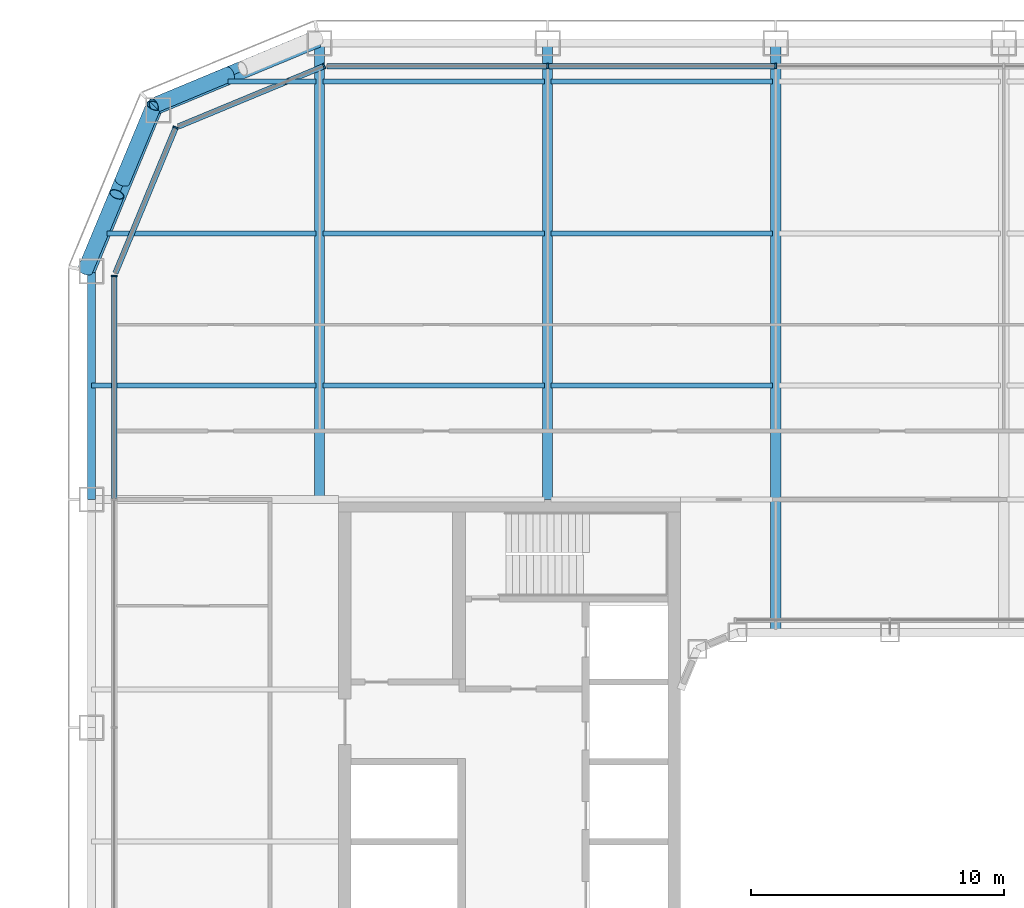
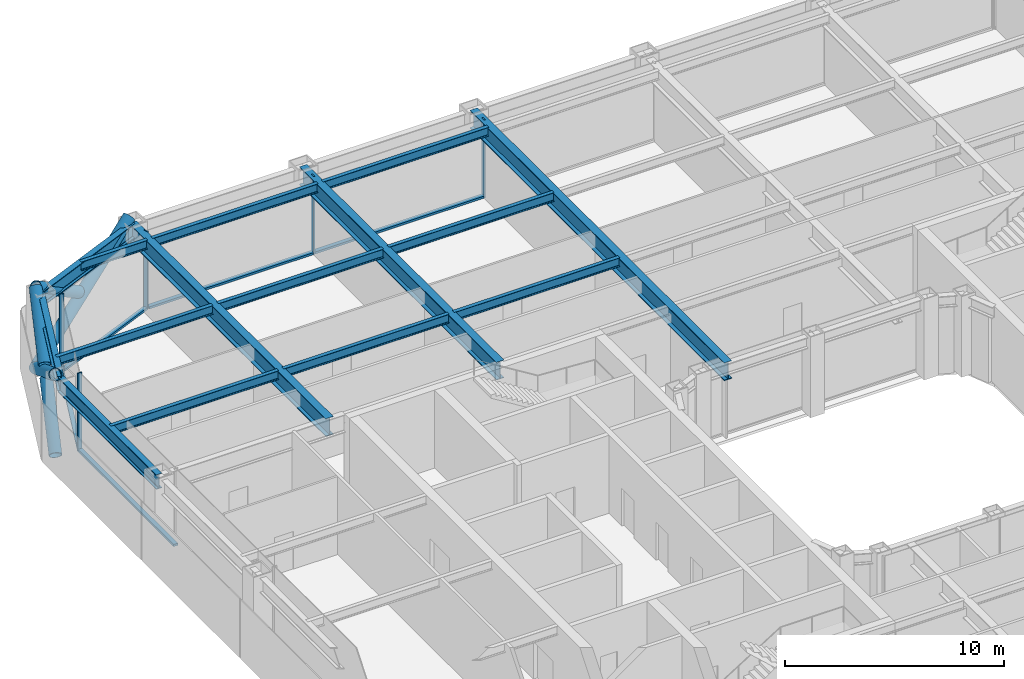
# One storey, part 7 of 27: 15 beams, 15 members, 4 elements without a shape of their own.
"""IFC4 building model written with IfcOpenShell, lengths in metres."""

from ifc_helpers import new_model, si_unit, direction, frame, origin, origin_2d, place, context, subcontext, project, spatial, rectangle, hollow_circle, i_section, extrude, material, layer, layer_set, material_profile, profile_set, type_object, element, aggregate, save


model = new_model("IFC4")

# Units and contexts
model_context = context("Model", 3, precision=1e-05, world=origin(), true_north=direction((0.0, 1.0)))
body_context = subcontext(model_context, "Body", "Model", "MODEL_VIEW")
ifc_project = project(units=[si_unit("LENGTHUNIT", "METRE"), si_unit("AREAUNIT", "SQUARE_METRE"), si_unit("VOLUMEUNIT", "CUBIC_METRE"), si_unit("PLANEANGLEUNIT", "RADIAN"), si_unit("MASSUNIT", "GRAM", prefix="KILO")], contexts=[model_context])

# Site, building, storey
site_placement = place(None, origin())
site = spatial("IfcSite", under=ifc_project, at=site_placement, CompositionType="ELEMENT")
building_placement = place(site_placement, origin())
building = spatial("IfcBuilding", under=site, at=building_placement, Name="Siwar Civic Tower", CompositionType="ELEMENT")
storey_placement = place(building_placement, frame((0.0, 0.0, 71.699951171875)))
storey = spatial("IfcBuildingStorey", under=building, at=storey_placement, Name="L15", CompositionType="ELEMENT", Elevation=71.699951171875)

# Curtain wall, members
ifc_material_1 = material(Name="Aluminium and glass", Category="aluminium")
ifc_layer_1 = layer(ifc_material_1, 0.219970703125)
ifc_layer_set_1 = layer_set([ifc_layer_1], Name="Aluminium and glass")
curtain_wall_type_1 = type_object("IfcCurtainWallType", Name="ENV-CW-A", PredefinedType="NOTDEFINED", material=ifc_layer_set_1)
curtain_wall_1_placement = place(storey_placement, origin())
curtain_wall_1 = element("IfcCurtainWall", 1, at=curtain_wall_1_placement, inside=storey, type_object=curtain_wall_type_1, Name="Curtain wall A N", PredefinedType="NOTDEFINED")
ifc_material_2 = material(Name="Aluminium 6063-T6", Category="aluminium")
ifc_material_profile_1 = material_profile(ifc_material_2, rectangle(XDim=0.219970703125, YDim=0.070068359375, at=origin_2d()), Name="AL 220x70")
ifc_profile_set_1 = profile_set([ifc_material_profile_1], Name="Aluminium 6063-T6")
member_type_1 = type_object("IfcMemberType", Name="ENV-MULLION-A", PredefinedType="MULLION", material=ifc_profile_set_1)
member_1_placement = place(storey_placement, frame((-4.5, 30.60009765625, 0.0), z_axis=(0.0, 0.0, 1.0), x_axis=(0.0, -1.0, 0.0)))
member_1 = element("IfcMember", 2, at=member_1_placement, type_object=member_type_1, Name="Mullion A N 4", PredefinedType="MULLION", context=body_context, shape_type="SweptSolid", body=[
    extrude(rectangle(XDim=0.219970703125, YDim=0.070068359375, at=origin_2d()), origin(), (0.0, 0.0, 1.0), 4.35009765625),
])
member_2_placement = place(storey_placement, frame((-13.5, 30.60009765625, 0.0), z_axis=(0.0, 0.0, 1.0), x_axis=(0.0, -1.0, 0.0)))
member_2 = element("IfcMember", 3, at=member_2_placement, type_object=member_type_1, Name="Mullion A N 5", PredefinedType="MULLION", context=body_context, shape_type="SweptSolid", body=[
    extrude(rectangle(XDim=0.219970703125, YDim=0.070068359375, at=origin_2d()), origin(), (0.0, 0.0, 1.0), 4.35009765625),
])

# Curtain wall, member
ifc_material_3 = material(Name="Aluminium clad insulated panel", Category="aluminium")
ifc_layer_2 = layer(ifc_material_3, 0.219970703125)
ifc_layer_set_2 = layer_set([ifc_layer_2], Name="Aluminium clad insulated panel")
curtain_wall_type_2 = type_object("IfcCurtainWallType", Name="ENV-CW-AX", PredefinedType="NOTDEFINED", material=ifc_layer_set_2)
curtain_wall_2_placement = place(storey_placement, origin())
curtain_wall_2 = element("IfcCurtainWall", 4, at=curtain_wall_2_placement, inside=storey, type_object=curtain_wall_type_2, Name="Curtain wall A NW1", PredefinedType="NOTDEFINED")
member_3_placement = place(storey_placement, frame((-22.321044921875, 30.60009765625, 0.0), z_axis=(0.0, 0.0, 1.0), x_axis=(0.382683432365, -0.923879532511, 0.0)))
member_3 = element("IfcMember", 5, at=member_3_placement, type_object=member_type_1, Name="Mullion A NW1 1", PredefinedType="MULLION", context=body_context, shape_type="SweptSolid", body=[
    extrude(rectangle(XDim=0.219970703125, YDim=0.070068359375, at=origin_2d()), origin(), (0.0, 0.0, 1.0), 4.35009765625),
])

curtain_wall_3_placement = place(storey_placement, origin())
curtain_wall_3 = element("IfcCurtainWall", 6, at=curtain_wall_3_placement, inside=storey, type_object=curtain_wall_type_2, Name="Curtain wall A NW2", PredefinedType="NOTDEFINED")
member_4_placement = place(storey_placement, frame((-28.175048828125, 28.175048828125, 0.0), z_axis=(0.0, 0.0, 1.0), x_axis=(0.923879532511, -0.382683432365, 0.0)))
member_4 = element("IfcMember", 7, at=member_4_placement, type_object=member_type_1, Name="Mullion A NW2 1", PredefinedType="MULLION", context=body_context, shape_type="SweptSolid", body=[
    extrude(rectangle(XDim=0.219970703125, YDim=0.070068359375, at=origin_2d()), origin(), (0.0, 0.0, 1.0), 4.35009765625),
])

curtain_wall_4_placement = place(storey_placement, origin())
curtain_wall_4 = element("IfcCurtainWall", 8, at=curtain_wall_4_placement, inside=storey, type_object=curtain_wall_type_1, Name="Curtain wall A W", PredefinedType="NOTDEFINED")
member_5_placement = place(storey_placement, frame((-30.60009765625, 22.321044921875, 0.0), z_axis=(0.0, 0.0, 1.0), x_axis=(1.0, 0.0, 0.0)))
member_5 = element("IfcMember", 9, at=member_5_placement, type_object=member_type_1, Name="Mullion A W 1", PredefinedType="MULLION", context=body_context, shape_type="SweptSolid", body=[
    extrude(rectangle(XDim=0.219970703125, YDim=0.070068359375, at=origin_2d()), origin(), (0.0, 0.0, 1.0), 4.35009765625),
])

# Member
ifc_material_4 = material(Name="Aluminium 6063-T6", Category="aluminium")
ifc_material_profile_2 = material_profile(ifc_material_4, rectangle(XDim=0.219970703125, YDim=0.1201171875, at=origin_2d()), Name="AL 220x120")
ifc_profile_set_2 = profile_set([ifc_material_profile_2], Name="Aluminium 6063-T6")
member_type_2 = type_object("IfcMemberType", Name="ENV-TRANSOM-A", PredefinedType="USERDEFINED", material=ifc_profile_set_2)
member_6_placement = place(storey_placement, frame((-4.534912109375, 30.60009765625, 0.06005859375), z_axis=(-1.0, 0.0, 0.0), x_axis=(0.0, -1.0, 0.0)))
member_6 = element("IfcMember", 10, at=member_6_placement, type_object=member_type_2, Name="Transom A N 4", ObjectType="TRANSOM", PredefinedType="USERDEFINED", context=body_context, shape_type="SweptSolid", body=[
    extrude(rectangle(XDim=0.219970703125, YDim=0.1201171875, at=origin_2d()), origin(), (0.0, 0.0, 1.0), 8.93017578125),
])

member_7_placement = place(storey_placement, frame((-13.534912109375, 30.60009765625, 0.06005859375), z_axis=(-1.0, 0.0, 0.0), x_axis=(0.0, -1.0, 0.0)))
member_7 = element("IfcMember", 11, at=member_7_placement, type_object=member_type_2, Name="Transom A N 5", ObjectType="TRANSOM", PredefinedType="USERDEFINED", context=body_context, shape_type="SweptSolid", body=[
    extrude(rectangle(XDim=0.219970703125, YDim=0.1201171875, at=origin_2d()), origin(), (0.0, 0.0, 1.0), 8.66357421875),
])

aggregate(curtain_wall_1, [member_1, member_2, member_6, member_7])

member_8_placement = place(storey_placement, frame((-22.353271484375, 30.586669921875, 0.06005859375), z_axis=(-0.923873326341, -0.382698415042, 0.0), x_axis=(0.382698415042, -0.923873326341, 0.0)))
member_8 = element("IfcMember", 12, at=member_8_placement, type_object=member_type_2, Name="Transom A NW1 1", ObjectType="TRANSOM", PredefinedType="USERDEFINED", context=body_context, shape_type="SweptSolid", body=[
    extrude(rectangle(XDim=0.219970703125, YDim=0.1201171875, at=origin_2d()), origin(), (0.0, 0.0, 1.0), 6.17919921875),
])

aggregate(curtain_wall_2, [member_3, member_8])

member_9_placement = place(storey_placement, frame((-28.1884765625, 28.142822265625, 0.06005859375), z_axis=(-0.382698415042, -0.923873326341, 0.0), x_axis=(0.923873326341, -0.382698415042, 0.0)))
member_9 = element("IfcMember", 13, at=member_9_placement, type_object=member_type_2, Name="Transom A NW2 1", ObjectType="TRANSOM", PredefinedType="USERDEFINED", context=body_context, shape_type="SweptSolid", body=[
    extrude(rectangle(XDim=0.219970703125, YDim=0.1201171875, at=origin_2d()), origin(), (0.0, 0.0, 1.0), 6.17919921875),
])

aggregate(curtain_wall_3, [member_4, member_9])

member_10_placement = place(storey_placement, frame((-30.60009765625, 22.285888671875, 0.06005859375), z_axis=(0.0, -1.0, 0.0), x_axis=(1.0, 0.0, 0.0)))
member_10 = element("IfcMember", 14, at=member_10_placement, type_object=member_type_2, Name="Transom A W 1", ObjectType="TRANSOM", PredefinedType="USERDEFINED", context=body_context, shape_type="SweptSolid", body=[
    extrude(rectangle(XDim=0.219970703125, YDim=0.1201171875, at=origin_2d()), origin(), (0.0, 0.0, 1.0), 8.7509765625),
])

aggregate(curtain_wall_4, [member_5, member_10])

# Members
ifc_material_5 = material(Name="Steel S355", Category="steel")
ifc_material_profile_3 = material_profile(ifc_material_5, hollow_circle(Radius=0.304931640625, WallThickness=0.030029296875, at=origin_2d()), Name="CHS610x30")
ifc_profile_set_3 = profile_set([ifc_material_profile_3], Name="Steel S355")
member_type_3 = type_object("IfcMemberType", Name="STR-BR-CHS610x30", PredefinedType="BRACE", material=ifc_profile_set_3)
member_11_placement = place(storey_placement, frame((-29.040771484375, 29.040771484375, 0.0), z_axis=(-0.323905527954, -0.777554562952, 0.538975055633), x_axis=(0.923108759191, -0.384538969033, 0.0)))
element("IfcMember", 15, at=member_11_placement, inside=storey, type_object=member_type_3, Name="L15/brc/ANW1-14-0-1", PredefinedType="BRACE", context=body_context, shape_type="SweptSolid", body=[
    extrude(hollow_circle(Radius=0.304931640625, WallThickness=0.030029296875, at=origin_2d()), origin(), (0.0, 0.0, 1.0), 8.34912109375),
])
member_12_placement = place(storey_placement, frame((-31.7451171875, 22.548828125, 0.0), z_axis=(0.323882123145, 0.777533059308, 0.539020140617), x_axis=(-0.923114847559, 0.384524353215, 0.0)))
element("IfcMember", 16, at=member_12_placement, inside=storey, type_object=member_type_3, Name="L15/brc/ANW1-14-0-2", PredefinedType="BRACE", context=body_context, shape_type="SweptSolid", body=[
    extrude(hollow_circle(Radius=0.304931640625, WallThickness=0.030029296875, at=origin_2d()), origin(), (0.0, 0.0, 1.0), 3.843505859375),
])
member_13_placement = place(storey_placement, frame((-30.285888671875, 26.052001953125, 2.428466796875), z_axis=(0.323934068367, 0.777568797048, 0.538937366685), x_axis=(-0.923099230484, 0.384561842466, 0.0)))
element("IfcMember", 17, at=member_13_placement, inside=storey, type_object=member_type_3, Name="L15/brc/ANW1-14-0-3", PredefinedType="BRACE", context=body_context, shape_type="SweptSolid", body=[
    extrude(hollow_circle(Radius=0.304931640625, WallThickness=0.030029296875, at=origin_2d()), origin(), (0.0, 0.0, 1.0), 3.84375),
])
member_14_placement = place(storey_placement, frame((-29.040771484375, 29.040771484375, 0.0), z_axis=(0.777554562952, 0.323905527954, 0.538975055633), x_axis=(-0.384538969033, 0.923108759191, 0.0)))
element("IfcMember", 18, at=member_14_placement, inside=storey, type_object=member_type_3, Name="L15/brc/ANW1-14-0-0", PredefinedType="BRACE", context=body_context, shape_type="SweptSolid", body=[
    extrude(hollow_circle(Radius=0.304931640625, WallThickness=0.030029296875, at=origin_2d()), origin(), (0.0, 0.0, 1.0), 8.34912109375),
])
member_15_placement = place(storey_placement, frame((-26.052001953125, 30.285888671875, 2.428466796875), z_axis=(-0.777568797048, -0.323934068367, 0.538937366685), x_axis=(0.384561842466, -0.923099230484, 0.0)))
element("IfcMember", 19, at=member_15_placement, inside=storey, type_object=member_type_3, Name="L15/brc/ANW1-14-0-5", PredefinedType="BRACE", context=body_context, shape_type="SweptSolid", body=[
    extrude(hollow_circle(Radius=0.304931640625, WallThickness=0.030029296875, at=origin_2d()), origin(), (0.0, 0.0, 1.0), 3.84375),
])

# Beams
ifc_material_6 = material(Name="Steel S355", Category="steel")
ifc_material_profile_4 = material_profile(ifc_material_6, i_section(OverallWidth=0.199951171875, OverallDepth=0.5, WebThickness=0.01025390625, FlangeThickness=0.01611328125, FilletRadius=0.02099609375, at=origin_2d()), Name="IPE500")
ifc_profile_set_4 = profile_set([ifc_material_profile_4], Name="Steel S355")
beam_type_1 = type_object("IfcBeamType", Name="STR-FB-IPE500", PredefinedType="JOIST", material=ifc_profile_set_4)
beam_1_placement = place(storey_placement, frame((-31.5, 18.0, 4.10009765625), z_axis=(1.0, 0.0, 0.0), x_axis=(0.0, 1.0, 0.0)))
element("IfcBeam", 20, at=beam_1_placement, inside=storey, type_object=beam_type_1, Name="L15/bm/F046", PredefinedType="JOIST", context=body_context, shape_type="SweptSolid", body=[
    extrude(i_section(OverallWidth=0.199951171875, OverallDepth=0.5, WebThickness=0.01025390625, FlangeThickness=0.01611328125, FilletRadius=0.02099609375, at=origin_2d()), origin(), (0.0, 0.0, 1.0), 8.8701171875),
])
for number, where, z_axis, x_axis, name in (
    (21, (-22.3701171875, 18.0, 4.10009765625), (1.0, 0.0, 0.0), (0.0, 1.0, 0.0), "L15/bm/F047"),
    (22, (-13.3701171875, 18.0, 4.10009765625), (1.0, 0.0, 0.0), (0.0, 1.0, 0.0), "L15/bm/F048"),
):
    element("IfcBeam", number, at=place(storey_placement, frame(where, z_axis=z_axis, x_axis=x_axis)), inside=storey, type_object=beam_type_1, Name=name, PredefinedType="JOIST", context=body_context, shape_type="SweptSolid", body=[
        extrude(i_section(OverallWidth=0.199951171875, OverallDepth=0.5, WebThickness=0.01025390625, FlangeThickness=0.01611328125, FilletRadius=0.02099609375, at=origin_2d()), origin(), (0.0, 0.0, 1.0), 8.740234375),
    ])
beam_2_placement = place(storey_placement, frame((-30.878662109375, 24.0, 4.10009765625), z_axis=(1.0, 0.0, 0.0), x_axis=(0.0, 1.0, 0.0)))
element("IfcBeam", 23, at=beam_2_placement, inside=storey, type_object=beam_type_1, Name="L15/bm/F053", PredefinedType="JOIST", context=body_context, shape_type="SweptSolid", body=[
    extrude(i_section(OverallWidth=0.199951171875, OverallDepth=0.5, WebThickness=0.01025390625, FlangeThickness=0.01611328125, FilletRadius=0.02099609375, at=origin_2d()), origin(), (0.0, 0.0, 1.0), 8.248779296875),
])
for number, where, z_axis, x_axis, name in (
    (24, (-22.3701171875, 24.0, 4.10009765625), (1.0, 0.0, 0.0), (0.0, 1.0, 0.0), "L15/bm/F054"),
    (25, (-13.3701171875, 24.0, 4.10009765625), (1.0, 0.0, 0.0), (0.0, 1.0, 0.0), "L15/bm/F055"),
):
    element("IfcBeam", number, at=place(storey_placement, frame(where, z_axis=z_axis, x_axis=x_axis)), inside=storey, type_object=beam_type_1, Name=name, PredefinedType="JOIST", context=body_context, shape_type="SweptSolid", body=[
        extrude(i_section(OverallWidth=0.199951171875, OverallDepth=0.5, WebThickness=0.01025390625, FlangeThickness=0.01611328125, FilletRadius=0.02099609375, at=origin_2d()), origin(), (0.0, 0.0, 1.0), 8.740234375),
    ])
beam_3_placement = place(storey_placement, frame((-26.121337890625, 30.0, 4.10009765625), z_axis=(1.0, 0.0, 0.0), x_axis=(0.0, 1.0, 0.0)))
element("IfcBeam", 26, at=beam_3_placement, inside=storey, type_object=beam_type_1, Name="L15/bm/F060", PredefinedType="JOIST", context=body_context, shape_type="SweptSolid", body=[
    extrude(i_section(OverallWidth=0.199951171875, OverallDepth=0.5, WebThickness=0.01025390625, FlangeThickness=0.01611328125, FilletRadius=0.02099609375, at=origin_2d()), origin(), (0.0, 0.0, 1.0), 3.491455078125),
])
for number, where, z_axis, x_axis, name in (
    (27, (-22.3701171875, 30.0, 4.10009765625), (1.0, 0.0, 0.0), (0.0, 1.0, 0.0), "L15/bm/F061"),
    (28, (-13.3701171875, 30.0, 4.10009765625), (1.0, 0.0, 0.0), (0.0, 1.0, 0.0), "L15/bm/F062"),
):
    element("IfcBeam", number, at=place(storey_placement, frame(where, z_axis=z_axis, x_axis=x_axis)), inside=storey, type_object=beam_type_1, Name=name, PredefinedType="JOIST", context=body_context, shape_type="SweptSolid", body=[
        extrude(i_section(OverallWidth=0.199951171875, OverallDepth=0.5, WebThickness=0.01025390625, FlangeThickness=0.01611328125, FilletRadius=0.02099609375, at=origin_2d()), origin(), (0.0, 0.0, 1.0), 8.740234375),
    ])
ifc_material_7 = material(Name="Steel S355", Category="steel")
ifc_material_profile_5 = material_profile(ifc_material_7, i_section(OverallWidth=0.39990234375, OverallDepth=1.0, WebThickness=0.01611328125, FlangeThickness=0.0400390625, at=origin_2d()), Name="PG1000x400x16x40")
ifc_profile_set_5 = profile_set([ifc_material_profile_5], Name="Steel S355")
beam_type_2 = type_object("IfcBeamType", Name="STR-PG-PG1000x400x16x40", PredefinedType="BEAM", material=ifc_profile_set_5)
for number, where, z_axis, x_axis, name in (
    (29, (-22.5, 13.5, 3.85009765625), (0.0, 1.0, 0.0), (-1.0, 0.0, 0.0), "L15/bm/G02"),
    (30, (-13.5, 13.5, 3.85009765625), (0.0, 1.0, 0.0), (-1.0, 0.0, 0.0), "L15/bm/G04"),
):
    element("IfcBeam", number, at=place(storey_placement, frame(where, z_axis=z_axis, x_axis=x_axis)), inside=storey, type_object=beam_type_2, Name=name, PredefinedType="BEAM", context=body_context, shape_type="SweptSolid", body=[
        extrude(i_section(OverallWidth=0.39990234375, OverallDepth=1.0, WebThickness=0.01611328125, FlangeThickness=0.0400390625, at=origin_2d()), origin(), (0.0, 0.0, 1.0), 18.0),
    ])
beam_4_placement = place(storey_placement, frame((-4.5, 8.25, 3.85009765625), z_axis=(0.0, 1.0, 0.0), x_axis=(-1.0, 0.0, 0.0)))
element("IfcBeam", 31, at=beam_4_placement, inside=storey, type_object=beam_type_2, Name="L15/bm/G06", PredefinedType="BEAM", context=body_context, shape_type="SweptSolid", body=[
    extrude(i_section(OverallWidth=0.39990234375, OverallDepth=1.0, WebThickness=0.01611328125, FlangeThickness=0.0400390625, at=origin_2d()), origin(), (0.0, 0.0, 1.0), 23.25),
])
ifc_material_8 = material(Name="Steel S355", Category="steel")
ifc_material_profile_6 = material_profile(ifc_material_8, i_section(OverallWidth=0.302978515625, OverallDepth=0.81396484375, WebThickness=0.02099609375, FlangeThickness=0.0400390625, FilletRadius=0.030029296875, at=origin_2d()), Name="HEM800")
ifc_profile_set_6 = profile_set([ifc_material_profile_6], Name="Steel S355")
beam_type_3 = type_object("IfcBeamType", Name="STR-SB-HEM800", PredefinedType="BEAM", material=ifc_profile_set_6)
for number, where, z_axis, x_axis, name in (
    (32, (-22.5, 31.5, 3.943115234375), (-0.923883353507, -0.382674207535, 0.0), (0.382674207535, -0.923883353507, 0.0), "L15/bm/SNW1-0"),
    (33, (-28.864013671875, 28.864013671875, 3.943115234375), (-0.382674207535, -0.923883353507, 0.0), (0.923883353507, -0.382674207535, 0.0), "L15/bm/SNW2-0"),
):
    element("IfcBeam", number, at=place(storey_placement, frame(where, z_axis=z_axis, x_axis=x_axis)), inside=storey, type_object=beam_type_3, Name=name, PredefinedType="BEAM", context=body_context, shape_type="SweptSolid", body=[
        extrude(i_section(OverallWidth=0.302978515625, OverallDepth=0.81396484375, WebThickness=0.02099609375, FlangeThickness=0.0400390625, FilletRadius=0.030029296875, at=origin_2d()), origin(), (0.0, 0.0, 1.0), 6.888427734375),
    ])
beam_5_placement = place(storey_placement, frame((-31.5, 22.5, 3.943115234375), z_axis=(0.0, -1.0, 0.0), x_axis=(1.0, 0.0, 0.0)))
element("IfcBeam", 34, at=beam_5_placement, inside=storey, type_object=beam_type_3, Name="L15/bm/SW-0", PredefinedType="BEAM", context=body_context, shape_type="SweptSolid", body=[
    extrude(i_section(OverallWidth=0.302978515625, OverallDepth=0.81396484375, WebThickness=0.02099609375, FlangeThickness=0.0400390625, FilletRadius=0.030029296875, at=origin_2d()), origin(), (0.0, 0.0, 1.0), 9.0),
])

save(model, "model.ifc")
